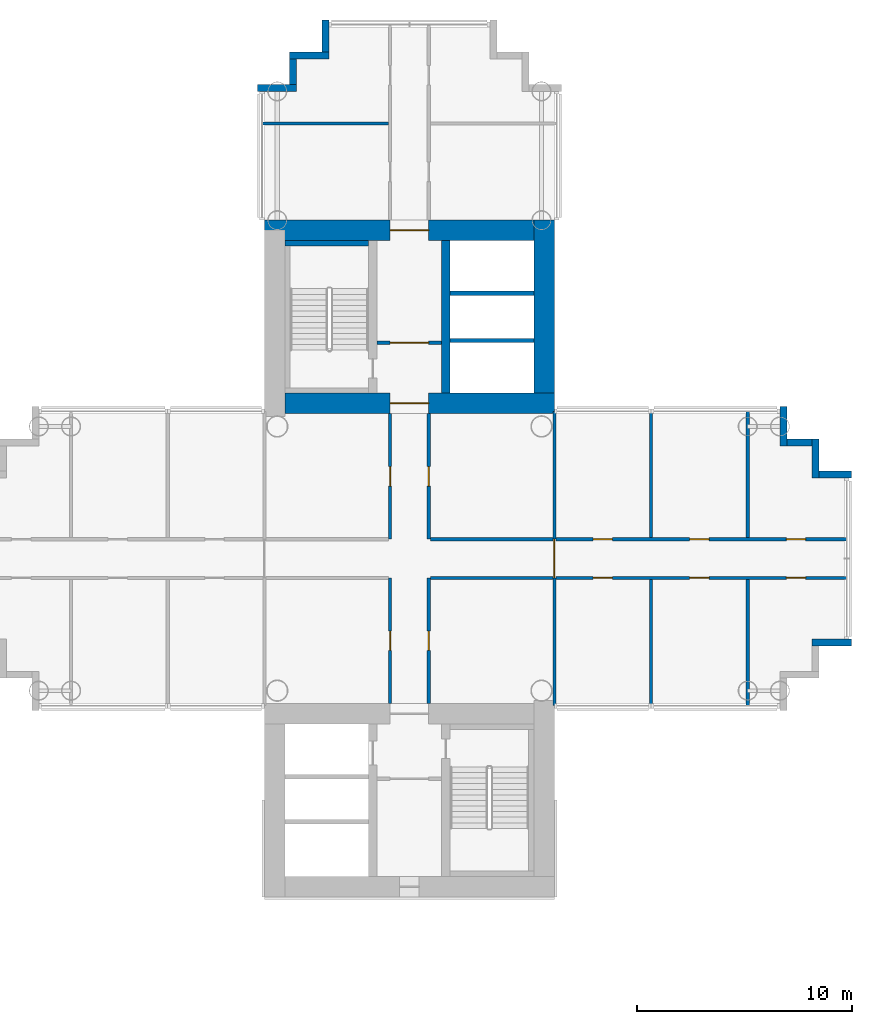
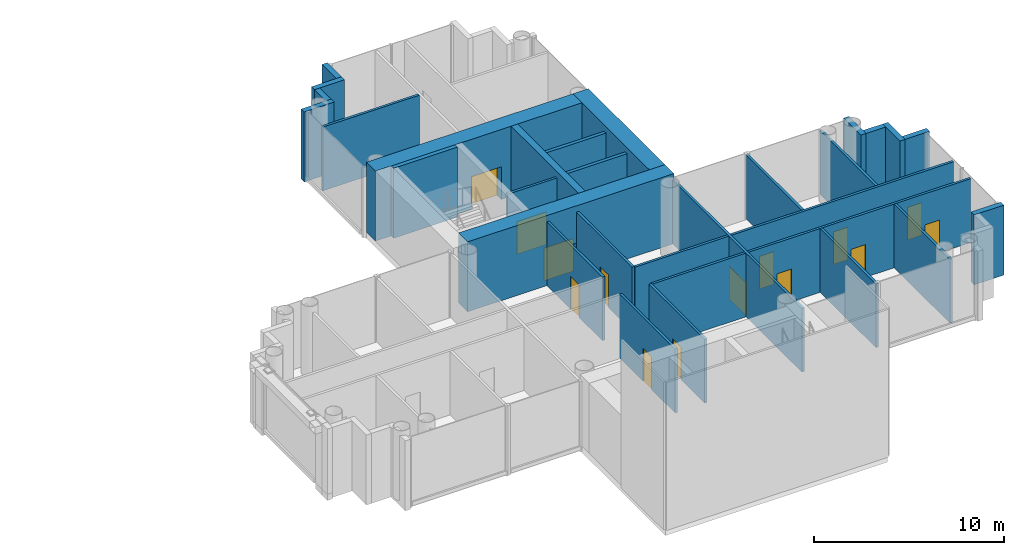
# One storey, part 14 of 20: 31 walls, 14 doors, 14 openings.
"""IFC4 building model written with IfcOpenShell, lengths in metres."""

from ifc_helpers import new_model, si_unit, direction, frame, frame_2d, origin, place, context, subcontext, project, spatial, rectangle, extrude, material, layer, layer_set, type_object, element, fill, save


model = new_model("IFC4")

# Units and contexts
model_context = context("Model", 3, precision=1e-05, world=origin(), true_north=direction((0.0, 1.0)))
body_context = subcontext(model_context, "Body", "Model", "MODEL_VIEW")
ifc_project = project(units=[si_unit("LENGTHUNIT", "METRE"), si_unit("AREAUNIT", "SQUARE_METRE"), si_unit("VOLUMEUNIT", "CUBIC_METRE"), si_unit("PLANEANGLEUNIT", "RADIAN"), si_unit("MASSUNIT", "GRAM", prefix="KILO")], contexts=[model_context])

# Site, building, storey
site_placement = place(None, origin())
site = spatial("IfcSite", under=ifc_project, at=site_placement, CompositionType="ELEMENT")
building_placement = place(site_placement, origin())
building = spatial("IfcBuilding", under=site, at=building_placement, Name="Ipe Terrace Towers", CompositionType="ELEMENT")
storey_placement = place(building_placement, frame((0.0, 0.0, 124.199951171875)))
storey = spatial("IfcBuildingStorey", under=building, at=storey_placement, Name="L34", CompositionType="ELEMENT", Elevation=124.199951171875)

# Walls
ifc_material_1 = material(Name="Concrete C40/50 with buff precast cladding", Category="concrete")
ifc_layer_1 = layer(ifc_material_1, 0.320068359375)
ifc_layer_set_1 = layer_set([ifc_layer_1], Name="BUFF CLADDING WALL 320")
wall_type_1 = type_object("IfcWallType", Name="BUFF CLADDING WALL 320", PredefinedType="STANDARD", material=ifc_layer_set_1)
wall_1_placement = place(storey_placement, frame((54.75, -3.909912109375, -0.300048828125), z_axis=(0.0, 0.0, 1.0), x_axis=(1.0, 0.0, 0.0)))
element("IfcWall", 1, at=wall_1_placement, inside=storey, type_object=wall_type_1, Name="T2-W-L34-07a wall", PredefinedType="STANDARD", context=body_context, shape_type="SweptSolid", body=[
    extrude(rectangle(XDim=1.820068359375, YDim=0.320068359375, at=frame_2d((0.91015625, 0.0))), origin(), (0.0, 0.0, 1.0), 4.5),
])
wall_2_placement = place(storey_placement, frame((56.570068359375, 3.909912109375, -0.300048828125), z_axis=(0.0, 0.0, 1.0), x_axis=(-1.0, 0.0, 0.0)))
element("IfcWall", 2, at=wall_2_placement, inside=storey, type_object=wall_type_1, Name="T2-W-L34-09a wall", PredefinedType="STANDARD", context=body_context, shape_type="SweptSolid", body=[
    extrude(rectangle(XDim=1.5, YDim=0.320068359375, at=frame_2d((0.75, 0.0))), origin(), (0.0, 0.0, 1.0), 4.5),
])
wall_3_placement = place(storey_placement, frame((54.909912109375, 3.75, -0.300048828125), z_axis=(0.0, 0.0, 1.0), x_axis=(0.0, 1.0, 0.0)))
element("IfcWall", 3, at=wall_3_placement, inside=storey, type_object=wall_type_1, Name="T2-W-L34-10a wall", PredefinedType="STANDARD", context=body_context, shape_type="SweptSolid", body=[
    extrude(rectangle(XDim=1.820068359375, YDim=0.320068359375, at=frame_2d((0.91015625, 0.0))), origin(), (0.0, 0.0, 1.0), 4.5),
])
wall_4_placement = place(storey_placement, frame((54.75, 5.409912109375, -0.300048828125), z_axis=(0.0, 0.0, 1.0), x_axis=(-1.0, 0.0, 0.0)))
element("IfcWall", 4, at=wall_4_placement, inside=storey, type_object=wall_type_1, Name="T2-W-L34-11a wall", PredefinedType="STANDARD", context=body_context, shape_type="SweptSolid", body=[
    extrude(rectangle(XDim=1.179931640625, YDim=0.320068359375, at=frame_2d((0.58984375, 0.0))), origin(), (0.0, 0.0, 1.0), 4.5),
])
wall_5_placement = place(storey_placement, frame((53.409912109375, 5.25, -0.300048828125), z_axis=(0.0, 0.0, 1.0), x_axis=(0.0, 1.0, 0.0)))
element("IfcWall", 5, at=wall_5_placement, inside=storey, type_object=wall_type_1, Name="T2-W-L34-12a wall", PredefinedType="STANDARD", context=body_context, shape_type="SweptSolid", body=[
    extrude(rectangle(XDim=1.820068359375, YDim=0.320068359375, at=frame_2d((0.91015625, 0.0))), origin(), (0.0, 0.0, 1.0), 4.5),
])
wall_6_placement = place(storey_placement, frame((32.090087890625, 25.070068359375, -0.300048828125), z_axis=(0.0, 0.0, 1.0), x_axis=(0.0, -1.0, 0.0)))
element("IfcWall", 6, at=wall_6_placement, inside=storey, type_object=wall_type_1, Name="T2-W-L34-22a wall", PredefinedType="STANDARD", context=body_context, shape_type="SweptSolid", body=[
    extrude(rectangle(XDim=1.5, YDim=0.320068359375, at=frame_2d((0.75, 0.0))), origin(), (0.0, 0.0, 1.0), 4.5),
])
wall_7_placement = place(storey_placement, frame((32.25, 23.409912109375, -0.300048828125), z_axis=(0.0, 0.0, 1.0), x_axis=(-1.0, 0.0, 0.0)))
element("IfcWall", 7, at=wall_7_placement, inside=storey, type_object=wall_type_1, Name="T2-W-L34-23a wall", PredefinedType="STANDARD", context=body_context, shape_type="SweptSolid", body=[
    extrude(rectangle(XDim=1.820068359375, YDim=0.320068359375, at=frame_2d((0.91015625, 0.0))), origin(), (0.0, 0.0, 1.0), 4.5),
])
wall_8_placement = place(storey_placement, frame((30.590087890625, 23.25, -0.300048828125), z_axis=(0.0, 0.0, 1.0), x_axis=(0.0, -1.0, 0.0)))
element("IfcWall", 8, at=wall_8_placement, inside=storey, type_object=wall_type_1, Name="T2-W-L34-24a wall", PredefinedType="STANDARD", context=body_context, shape_type="SweptSolid", body=[
    extrude(rectangle(XDim=1.179931640625, YDim=0.320068359375, at=frame_2d((0.58984375, 0.0))), origin(), (0.0, 0.0, 1.0), 4.5),
])
wall_9_placement = place(storey_placement, frame((30.75, 21.909912109375, -0.300048828125), z_axis=(0.0, 0.0, 1.0), x_axis=(-1.0, 0.0, 0.0)))
element("IfcWall", 9, at=wall_9_placement, inside=storey, type_object=wall_type_1, Name="T2-W-L34-25a wall", PredefinedType="STANDARD", context=body_context, shape_type="SweptSolid", body=[
    extrude(rectangle(XDim=1.820068359375, YDim=0.320068359375, at=frame_2d((0.91015625, 0.0))), origin(), (0.0, 0.0, 1.0), 4.5),
])

# Wall, opening, door
ifc_material_2 = material(Name="Gypsum board partition", Category="plasterboard")
ifc_layer_2 = layer(ifc_material_2, 0.14990234375)
ifc_layer_set_2 = layer_set([ifc_layer_2], Name="Gypsum board partition 150 mm")
wall_type_2 = type_object("IfcWallType", Name="Gypsum board partition 150 mm", PredefinedType="PARTITIONING", material=ifc_layer_set_2)
wall_10_placement = place(storey_placement, frame((37.5, 10.050048828125, 0.0), z_axis=(0.0, 0.0, 1.0), x_axis=(-1.0, 0.0, 0.0)))
wall_10 = element("IfcWall", 10, at=wall_10_placement, inside=storey, type_object=wall_type_2, Name="Gypsum board partition T2 L34 t2c1-lobby-wall", PredefinedType="PARTITIONING", context=body_context, shape_type="SweptSolid", body=[
    extrude(rectangle(XDim=3.0, YDim=0.14990234375, at=frame_2d((1.5, 0.0))), origin(), (0.0, 0.0, 1.0), 4.10009765625),
])
opening_1_placement = place(wall_10_placement, frame((0.60009765625, 0.0, 0.0)))
opening_1 = element("IfcOpeningElement", 11, at=opening_1_placement, cuts=wall_10, Name="Opening T2C1-VD", PredefinedType="OPENING", context=body_context, shape_type="SweptSolid", body=[
    extrude(rectangle(XDim=1.800048828125, YDim=2.10009765625, at=frame_2d((0.89990234375, 1.050048828125))), frame((0.0, 0.0849609375, 0.0), z_axis=(0.0, -1.0, 0.0), x_axis=(1.0, 0.0, 0.0)), (0.0, 0.0, 1.0), 0.169921875),
])
ifc_material_3 = material(Name="Fire-rated timber door leaf", Category="wood")
door_type_1 = type_object("IfcDoorType", Name="Lobby door 1800 x 2100 FD60", OperationType="NOTDEFINED", PredefinedType="DOOR", material=ifc_material_3)
door_1_placement = place(opening_1_placement, origin())
door_1 = element("IfcDoor", 12, at=door_1_placement, inside=storey, type_object=door_type_1, Name="Lobby door T2C1-VD", OperationType="SINGLE_SWING_LEFT", OverallHeight=2.10009765625, OverallWidth=1.800048828125, PredefinedType="DOOR", context=body_context, shape_type="SweptSolid", body=[
    extrude(rectangle(XDim=1.800048828125, YDim=2.10009765625, at=frame_2d((0.89990234375, 1.050048828125))), frame((0.0, 0.02490234375, 0.0), z_axis=(0.0, -1.0, 0.0), x_axis=(1.0, 0.0, 0.0)), (0.0, 0.0, 1.0), 0.050048828125),
])
fill(opening_1, door_1)

wall_11_placement = place(storey_placement, frame((35.10009765625, 0.89990234375, 0.0), z_axis=(0.0, 0.0, 1.0), x_axis=(0.0, 1.0, 0.0)))
wall_11 = element("IfcWall", 13, at=wall_11_placement, inside=storey, type_object=wall_type_2, Name="Gypsum board partition T2 L34 sp-hub-qen-x", PredefinedType="PARTITIONING", context=body_context, shape_type="SweptSolid", body=[
    extrude(rectangle(XDim=5.85009765625, YDim=0.14990234375, at=frame_2d((2.925048828125, 0.0))), origin(), (0.0, 0.0, 1.0), 4.10009765625),
])
opening_2_placement = place(wall_11_placement, frame((2.47509765625, 0.0, 0.0)))
opening_2 = element("IfcOpeningElement", 14, at=opening_2_placement, cuts=wall_11, Name="Opening T2-SP-HEN-FD60", PredefinedType="OPENING", context=body_context, shape_type="SweptSolid", body=[
    extrude(rectangle(XDim=0.89990234375, YDim=2.10009765625, at=frame_2d((0.449951171875, 1.050048828125))), frame((0.0, 0.0849609375, 0.0), z_axis=(0.0, -1.0, 0.0), x_axis=(1.0, 0.0, 0.0)), (0.0, 0.0, 1.0), 0.169921875),
])
ifc_material_4 = material(Name="Fire-rated timber door leaf", Category="wood")
door_type_2 = type_object("IfcDoorType", Name="Service door 900 x 2100 FD60", OperationType="NOTDEFINED", PredefinedType="DOOR", material=ifc_material_4)
door_2_placement = place(opening_2_placement, origin())
door_2 = element("IfcDoor", 15, at=door_2_placement, inside=storey, type_object=door_type_2, Name="Service door T2-SP-HEN-FD60", OperationType="SINGLE_SWING_LEFT", OverallHeight=2.10009765625, OverallWidth=0.89990234375, PredefinedType="DOOR", context=body_context, shape_type="SweptSolid", body=[
    extrude(rectangle(XDim=0.89990234375, YDim=2.10009765625, at=frame_2d((0.449951171875, 1.050048828125))), frame((0.0, 0.02490234375, 0.0), z_axis=(0.0, -1.0, 0.0), x_axis=(1.0, 0.0, 0.0)), (0.0, 0.0, 1.0), 0.050048828125),
])
fill(opening_2, door_2)

wall_12_placement = place(storey_placement, frame((36.89990234375, 0.89990234375, 0.0), z_axis=(0.0, 0.0, 1.0), x_axis=(0.0, 1.0, 0.0)))
wall_12 = element("IfcWall", 16, at=wall_12_placement, inside=storey, type_object=wall_type_2, Name="Gypsum board partition T2 L34 sp-hub-qes-x", PredefinedType="PARTITIONING", context=body_context, shape_type="SweptSolid", body=[
    extrude(rectangle(XDim=5.85009765625, YDim=0.14990234375, at=frame_2d((2.925048828125, 0.0))), origin(), (0.0, 0.0, 1.0), 4.10009765625),
])
opening_3_placement = place(wall_12_placement, frame((2.47509765625, 0.0, 0.0)))
opening_3 = element("IfcOpeningElement", 17, at=opening_3_placement, cuts=wall_12, Name="Opening T2-SP-HES-FD60", PredefinedType="OPENING", context=body_context, shape_type="SweptSolid", body=[
    extrude(rectangle(XDim=0.89990234375, YDim=2.10009765625, at=frame_2d((0.449951171875, 1.050048828125))), frame((0.0, 0.0849609375, 0.0), z_axis=(0.0, -1.0, 0.0), x_axis=(1.0, 0.0, 0.0)), (0.0, 0.0, 1.0), 0.169921875),
])
door_3_placement = place(opening_3_placement, origin())
door_3 = element("IfcDoor", 18, at=door_3_placement, inside=storey, type_object=door_type_2, Name="Service door T2-SP-HES-FD60", OperationType="SINGLE_SWING_RIGHT", OverallHeight=2.10009765625, OverallWidth=0.89990234375, PredefinedType="DOOR", context=body_context, shape_type="SweptSolid", body=[
    extrude(rectangle(XDim=0.89990234375, YDim=2.10009765625, at=frame_2d((0.449951171875, 1.050048828125))), frame((0.0, 0.02490234375, 0.0), z_axis=(0.0, -1.0, 0.0), x_axis=(1.0, 0.0, 0.0)), (0.0, 0.0, 1.0), 0.050048828125),
])
fill(opening_3, door_3)

# Wall
wall_13_placement = place(storey_placement, frame((42.675048828125, 0.89990234375, 0.0), z_axis=(0.0, 0.0, 1.0), x_axis=(-1.0, 0.0, 0.0)))
element("IfcWall", 19, at=wall_13_placement, inside=storey, type_object=wall_type_2, Name="Gypsum board partition T2 L34 sp-hub-qes-y", PredefinedType="PARTITIONING", context=body_context, shape_type="SweptSolid", body=[
    extrude(rectangle(XDim=5.699951171875, YDim=0.14990234375, at=frame_2d((2.85009765625, 0.0))), origin(), (0.0, 0.0, 1.0), 4.10009765625),
])

# Wall, opening, door
wall_14_placement = place(storey_placement, frame((35.10009765625, -6.75, 0.0), z_axis=(0.0, 0.0, 1.0), x_axis=(0.0, 1.0, 0.0)))
wall_14 = element("IfcWall", 20, at=wall_14_placement, inside=storey, type_object=wall_type_2, Name="Gypsum board partition T2 L34 sp-hub-qwn-x", PredefinedType="PARTITIONING", context=body_context, shape_type="SweptSolid", body=[
    extrude(rectangle(XDim=5.85009765625, YDim=0.14990234375, at=frame_2d((2.925048828125, 0.0))), origin(), (0.0, 0.0, 1.0), 4.10009765625),
])
opening_4_placement = place(wall_14_placement, frame((2.47509765625, 0.0, 0.0)))
opening_4 = element("IfcOpeningElement", 21, at=opening_4_placement, cuts=wall_14, Name="Opening T2-SP-HWN-FD60", PredefinedType="OPENING", context=body_context, shape_type="SweptSolid", body=[
    extrude(rectangle(XDim=0.89990234375, YDim=2.10009765625, at=frame_2d((0.449951171875, 1.050048828125))), frame((0.0, 0.0849609375, 0.0), z_axis=(0.0, -1.0, 0.0), x_axis=(1.0, 0.0, 0.0)), (0.0, 0.0, 1.0), 0.169921875),
])
door_4_placement = place(opening_4_placement, origin())
door_4 = element("IfcDoor", 22, at=door_4_placement, inside=storey, type_object=door_type_2, Name="Service door T2-SP-HWN-FD60", OperationType="SINGLE_SWING_LEFT", OverallHeight=2.10009765625, OverallWidth=0.89990234375, PredefinedType="DOOR", context=body_context, shape_type="SweptSolid", body=[
    extrude(rectangle(XDim=0.89990234375, YDim=2.10009765625, at=frame_2d((0.449951171875, 1.050048828125))), frame((0.0, 0.02490234375, 0.0), z_axis=(0.0, -1.0, 0.0), x_axis=(1.0, 0.0, 0.0)), (0.0, 0.0, 1.0), 0.050048828125),
])
fill(opening_4, door_4)

wall_15_placement = place(storey_placement, frame((36.89990234375, -6.75, 0.0), z_axis=(0.0, 0.0, 1.0), x_axis=(0.0, 1.0, 0.0)))
wall_15 = element("IfcWall", 23, at=wall_15_placement, inside=storey, type_object=wall_type_2, Name="Gypsum board partition T2 L34 sp-hub-qws-x", PredefinedType="PARTITIONING", context=body_context, shape_type="SweptSolid", body=[
    extrude(rectangle(XDim=5.85009765625, YDim=0.14990234375, at=frame_2d((2.925048828125, 0.0))), origin(), (0.0, 0.0, 1.0), 4.10009765625),
])
opening_5_placement = place(wall_15_placement, frame((2.47509765625, 0.0, 0.0)))
opening_5 = element("IfcOpeningElement", 24, at=opening_5_placement, cuts=wall_15, Name="Opening T2-SP-HWS-FD60", PredefinedType="OPENING", context=body_context, shape_type="SweptSolid", body=[
    extrude(rectangle(XDim=0.89990234375, YDim=2.10009765625, at=frame_2d((0.449951171875, 1.050048828125))), frame((0.0, 0.0849609375, 0.0), z_axis=(0.0, -1.0, 0.0), x_axis=(1.0, 0.0, 0.0)), (0.0, 0.0, 1.0), 0.169921875),
])
door_5_placement = place(opening_5_placement, origin())
door_5 = element("IfcDoor", 25, at=door_5_placement, inside=storey, type_object=door_type_2, Name="Service door T2-SP-HWS-FD60", OperationType="SINGLE_SWING_RIGHT", OverallHeight=2.10009765625, OverallWidth=0.89990234375, PredefinedType="DOOR", context=body_context, shape_type="SweptSolid", body=[
    extrude(rectangle(XDim=0.89990234375, YDim=2.10009765625, at=frame_2d((0.449951171875, 1.050048828125))), frame((0.0, 0.02490234375, 0.0), z_axis=(0.0, -1.0, 0.0), x_axis=(1.0, 0.0, 0.0)), (0.0, 0.0, 1.0), 0.050048828125),
])
fill(opening_5, door_5)

# Walls
wall_16_placement = place(storey_placement, frame((42.675048828125, -0.89990234375, 0.0), z_axis=(0.0, 0.0, 1.0), x_axis=(-1.0, 0.0, 0.0)))
element("IfcWall", 26, at=wall_16_placement, inside=storey, type_object=wall_type_2, Name="Gypsum board partition T2 L34 sp-hub-qws-y", PredefinedType="PARTITIONING", context=body_context, shape_type="SweptSolid", body=[
    extrude(rectangle(XDim=5.699951171875, YDim=0.14990234375, at=frame_2d((2.85009765625, 0.0))), origin(), (0.0, 0.0, 1.0), 4.10009765625),
])
wall_17_placement = place(storey_placement, frame((35.02490234375, 20.25, 0.0), z_axis=(0.0, 0.0, 1.0), x_axis=(-1.0, 0.0, 0.0)))
element("IfcWall", 27, at=wall_17_placement, inside=storey, type_object=wall_type_2, Name="Gypsum board partition T2 L34 sp-Lp-dp1", PredefinedType="PARTITIONING", context=body_context, shape_type="SweptSolid", body=[
    extrude(rectangle(XDim=5.875, YDim=0.14990234375, at=frame_2d((2.9375, 0.0))), origin(), (0.0, 0.0, 1.0), 4.10009765625),
])

# Wall, opening, door
wall_18_placement = place(storey_placement, frame((42.75, -6.85009765625, 0.0), z_axis=(0.0, 0.0, 1.0), x_axis=(0.0, 1.0, 0.0)))
wall_18 = element("IfcWall", 28, at=wall_18_placement, inside=storey, type_object=wall_type_2, Name="Gypsum board partition T2 L34 sp-Sm-mouth", PredefinedType="PARTITIONING", context=body_context, shape_type="SweptSolid", body=[
    extrude(rectangle(XDim=13.7001953125, YDim=0.14990234375, at=frame_2d((6.85009765625, 0.0))), origin(), (0.0, 0.0, 1.0), 4.10009765625),
])
opening_6_placement = place(wall_18_placement, frame((5.949951171875, 0.0, 0.0)))
opening_6 = element("IfcOpeningElement", 29, at=opening_6_placement, cuts=wall_18, Name="Opening T2-SP-MSm", PredefinedType="OPENING", context=body_context, shape_type="SweptSolid", body=[
    extrude(rectangle(XDim=1.800048828125, YDim=2.10009765625, at=frame_2d((0.89990234375, 1.050048828125))), frame((0.0, 0.0849609375, 0.0), z_axis=(0.0, -1.0, 0.0), x_axis=(1.0, 0.0, 0.0)), (0.0, 0.0, 1.0), 0.169921875),
])
ifc_material_5 = material(Name="Fire-rated timber door leaf", Category="wood")
door_type_3 = type_object("IfcDoorType", Name="Lobby door 1800 x 2100 FD30S", OperationType="NOTDEFINED", PredefinedType="DOOR", material=ifc_material_5)
door_6_placement = place(opening_6_placement, origin())
door_6 = element("IfcDoor", 30, at=door_6_placement, inside=storey, type_object=door_type_3, Name="Lobby door T2-SP-MSm", OperationType="SINGLE_SWING_RIGHT", OverallHeight=2.10009765625, OverallWidth=1.800048828125, PredefinedType="DOOR", context=body_context, shape_type="SweptSolid", body=[
    extrude(rectangle(XDim=1.800048828125, YDim=2.10009765625, at=frame_2d((0.89990234375, 1.050048828125))), frame((0.0, 0.02490234375, 0.0), z_axis=(0.0, -1.0, 0.0), x_axis=(1.0, 0.0, 0.0)), (0.0, 0.0, 1.0), 0.050048828125),
])
fill(opening_6, door_6)

# Wall, openings, doors
wall_19_placement = place(storey_placement, frame((56.35009765625, 0.89990234375, 0.0), z_axis=(0.0, 0.0, 1.0), x_axis=(-1.0, 0.0, 0.0)))
wall_19 = element("IfcWall", 31, at=wall_19_placement, inside=storey, type_object=wall_type_2, Name="Gypsum board partition T2 L34 sp-Sm-wp", PredefinedType="PARTITIONING", context=body_context, shape_type="SweptSolid", body=[
    extrude(rectangle(XDim=13.525146484375, YDim=0.14990234375, at=frame_2d((6.7626953125, 0.0))), origin(), (0.0, 0.0, 1.0), 4.10009765625),
])
opening_7_placement = place(wall_19_placement, frame((1.89990234375, 0.0, 0.0)))
opening_7 = element("IfcOpeningElement", 32, at=opening_7_placement, cuts=wall_19, Name="Opening T2-SP-PSm1-FD60", PredefinedType="OPENING", context=body_context, shape_type="SweptSolid", body=[
    extrude(rectangle(XDim=0.89990234375, YDim=2.10009765625, at=frame_2d((0.449951171875, 1.050048828125))), frame((0.0, 0.0849609375, 0.0), z_axis=(0.0, -1.0, 0.0), x_axis=(1.0, 0.0, 0.0)), (0.0, 0.0, 1.0), 0.169921875),
])
opening_8_placement = place(wall_19_placement, frame((6.39990234375, 0.0, 0.0)))
opening_8 = element("IfcOpeningElement", 33, at=opening_8_placement, cuts=wall_19, Name="Opening T2-SP-PSm2-FD60", PredefinedType="OPENING", context=body_context, shape_type="SweptSolid", body=[
    extrude(rectangle(XDim=0.89990234375, YDim=2.10009765625, at=frame_2d((0.449951171875, 1.050048828125))), frame((0.0, 0.0849609375, 0.0), z_axis=(0.0, -1.0, 0.0), x_axis=(1.0, 0.0, 0.0)), (0.0, 0.0, 1.0), 0.169921875),
])
opening_9_placement = place(wall_19_placement, frame((10.89990234375, 0.0, 0.0)))
opening_9 = element("IfcOpeningElement", 34, at=opening_9_placement, cuts=wall_19, Name="Opening T2-SP-PSm3-FD60", PredefinedType="OPENING", context=body_context, shape_type="SweptSolid", body=[
    extrude(rectangle(XDim=0.89990234375, YDim=2.10009765625, at=frame_2d((0.449951171875, 1.050048828125))), frame((0.0, 0.0849609375, 0.0), z_axis=(0.0, -1.0, 0.0), x_axis=(1.0, 0.0, 0.0)), (0.0, 0.0, 1.0), 0.169921875),
])
door_7_placement = place(opening_7_placement, origin())
door_7 = element("IfcDoor", 35, at=door_7_placement, inside=storey, type_object=door_type_2, Name="Service door T2-SP-PSm1-FD60", OperationType="SINGLE_SWING_LEFT", OverallHeight=2.10009765625, OverallWidth=0.89990234375, PredefinedType="DOOR", context=body_context, shape_type="SweptSolid", body=[
    extrude(rectangle(XDim=0.89990234375, YDim=2.10009765625, at=frame_2d((0.449951171875, 1.050048828125))), frame((0.0, 0.02490234375, 0.0), z_axis=(0.0, -1.0, 0.0), x_axis=(1.0, 0.0, 0.0)), (0.0, 0.0, 1.0), 0.050048828125),
])
fill(opening_7, door_7)
door_8_placement = place(opening_8_placement, origin())
door_8 = element("IfcDoor", 36, at=door_8_placement, inside=storey, type_object=door_type_2, Name="Service door T2-SP-PSm2-FD60", OperationType="SINGLE_SWING_RIGHT", OverallHeight=2.10009765625, OverallWidth=0.89990234375, PredefinedType="DOOR", context=body_context, shape_type="SweptSolid", body=[
    extrude(rectangle(XDim=0.89990234375, YDim=2.10009765625, at=frame_2d((0.449951171875, 1.050048828125))), frame((0.0, 0.02490234375, 0.0), z_axis=(0.0, -1.0, 0.0), x_axis=(1.0, 0.0, 0.0)), (0.0, 0.0, 1.0), 0.050048828125),
])
fill(opening_8, door_8)
door_9_placement = place(opening_9_placement, origin())
door_9 = element("IfcDoor", 37, at=door_9_placement, inside=storey, type_object=door_type_2, Name="Service door T2-SP-PSm3-FD60", OperationType="SINGLE_SWING_LEFT", OverallHeight=2.10009765625, OverallWidth=0.89990234375, PredefinedType="DOOR", context=body_context, shape_type="SweptSolid", body=[
    extrude(rectangle(XDim=0.89990234375, YDim=2.10009765625, at=frame_2d((0.449951171875, 1.050048828125))), frame((0.0, 0.02490234375, 0.0), z_axis=(0.0, -1.0, 0.0), x_axis=(1.0, 0.0, 0.0)), (0.0, 0.0, 1.0), 0.050048828125),
])
fill(opening_9, door_9)

# Walls
for number, where, z_axis, x_axis, name in (
    (38, (51.75, 0.97509765625, 0.0), (0.0, 0.0, 1.0), (0.0, 1.0, 0.0), "Gypsum board partition T2 L34 sp-Sm-dp1"),
    (39, (47.25, 0.97509765625, 0.0), (0.0, 0.0, 1.0), (0.0, 1.0, 0.0), "Gypsum board partition T2 L34 sp-Sm-dp2"),
):
    element("IfcWall", number, at=place(storey_placement, frame(where, z_axis=z_axis, x_axis=x_axis)), inside=storey, type_object=wall_type_2, Name=name, PredefinedType="PARTITIONING", context=body_context, shape_type="SweptSolid", body=[
        extrude(rectangle(XDim=5.875, YDim=0.14990234375, at=frame_2d((2.9375, 0.0))), origin(), (0.0, 0.0, 1.0), 4.10009765625),
    ])

# Wall, openings, doors
wall_20_placement = place(storey_placement, frame((56.35009765625, -0.89990234375, 0.0), z_axis=(0.0, 0.0, 1.0), x_axis=(-1.0, 0.0, 0.0)))
wall_20 = element("IfcWall", 40, at=wall_20_placement, inside=storey, type_object=wall_type_2, Name="Gypsum board partition T2 L34 sp-Sm-wm", PredefinedType="PARTITIONING", context=body_context, shape_type="SweptSolid", body=[
    extrude(rectangle(XDim=13.525146484375, YDim=0.14990234375, at=frame_2d((6.7626953125, 0.0))), origin(), (0.0, 0.0, 1.0), 4.10009765625),
])
opening_10_placement = place(wall_20_placement, frame((1.89990234375, 0.0, 0.0)))
opening_10 = element("IfcOpeningElement", 41, at=opening_10_placement, cuts=wall_20, Name="Opening T2-SP-MSm1-FD60", PredefinedType="OPENING", context=body_context, shape_type="SweptSolid", body=[
    extrude(rectangle(XDim=0.89990234375, YDim=2.10009765625, at=frame_2d((0.449951171875, 1.050048828125))), frame((0.0, 0.0849609375, 0.0), z_axis=(0.0, -1.0, 0.0), x_axis=(1.0, 0.0, 0.0)), (0.0, 0.0, 1.0), 0.169921875),
])
opening_11_placement = place(wall_20_placement, frame((6.39990234375, 0.0, 0.0)))
opening_11 = element("IfcOpeningElement", 42, at=opening_11_placement, cuts=wall_20, Name="Opening T2-SP-MSm2-FD60", PredefinedType="OPENING", context=body_context, shape_type="SweptSolid", body=[
    extrude(rectangle(XDim=0.89990234375, YDim=2.10009765625, at=frame_2d((0.449951171875, 1.050048828125))), frame((0.0, 0.0849609375, 0.0), z_axis=(0.0, -1.0, 0.0), x_axis=(1.0, 0.0, 0.0)), (0.0, 0.0, 1.0), 0.169921875),
])
opening_12_placement = place(wall_20_placement, frame((10.89990234375, 0.0, 0.0)))
opening_12 = element("IfcOpeningElement", 43, at=opening_12_placement, cuts=wall_20, Name="Opening T2-SP-MSm3-FD60", PredefinedType="OPENING", context=body_context, shape_type="SweptSolid", body=[
    extrude(rectangle(XDim=0.89990234375, YDim=2.10009765625, at=frame_2d((0.449951171875, 1.050048828125))), frame((0.0, 0.0849609375, 0.0), z_axis=(0.0, -1.0, 0.0), x_axis=(1.0, 0.0, 0.0)), (0.0, 0.0, 1.0), 0.169921875),
])
door_10_placement = place(opening_10_placement, origin())
door_10 = element("IfcDoor", 44, at=door_10_placement, inside=storey, type_object=door_type_2, Name="Service door T2-SP-MSm1-FD60", OperationType="SINGLE_SWING_RIGHT", OverallHeight=2.10009765625, OverallWidth=0.89990234375, PredefinedType="DOOR", context=body_context, shape_type="SweptSolid", body=[
    extrude(rectangle(XDim=0.89990234375, YDim=2.10009765625, at=frame_2d((0.449951171875, 1.050048828125))), frame((0.0, 0.02490234375, 0.0), z_axis=(0.0, -1.0, 0.0), x_axis=(1.0, 0.0, 0.0)), (0.0, 0.0, 1.0), 0.050048828125),
])
fill(opening_10, door_10)
door_11_placement = place(opening_11_placement, origin())
door_11 = element("IfcDoor", 45, at=door_11_placement, inside=storey, type_object=door_type_2, Name="Service door T2-SP-MSm2-FD60", OperationType="SINGLE_SWING_LEFT", OverallHeight=2.10009765625, OverallWidth=0.89990234375, PredefinedType="DOOR", context=body_context, shape_type="SweptSolid", body=[
    extrude(rectangle(XDim=0.89990234375, YDim=2.10009765625, at=frame_2d((0.449951171875, 1.050048828125))), frame((0.0, 0.02490234375, 0.0), z_axis=(0.0, -1.0, 0.0), x_axis=(1.0, 0.0, 0.0)), (0.0, 0.0, 1.0), 0.050048828125),
])
fill(opening_11, door_11)
door_12_placement = place(opening_12_placement, origin())
door_12 = element("IfcDoor", 46, at=door_12_placement, inside=storey, type_object=door_type_2, Name="Service door T2-SP-MSm3-FD60", OperationType="SINGLE_SWING_RIGHT", OverallHeight=2.10009765625, OverallWidth=0.89990234375, PredefinedType="DOOR", context=body_context, shape_type="SweptSolid", body=[
    extrude(rectangle(XDim=0.89990234375, YDim=2.10009765625, at=frame_2d((0.449951171875, 1.050048828125))), frame((0.0, 0.02490234375, 0.0), z_axis=(0.0, -1.0, 0.0), x_axis=(1.0, 0.0, 0.0)), (0.0, 0.0, 1.0), 0.050048828125),
])
fill(opening_12, door_12)

# Walls
for number, where, z_axis, x_axis, name in (
    (47, (51.75, -0.97509765625, 0.0), (0.0, 0.0, 1.0), (0.0, -1.0, 0.0), "Gypsum board partition T2 L34 sp-Sm-dm1"),
    (48, (47.25, -0.97509765625, 0.0), (0.0, 0.0, 1.0), (0.0, -1.0, 0.0), "Gypsum board partition T2 L34 sp-Sm-dm2"),
):
    element("IfcWall", number, at=place(storey_placement, frame(where, z_axis=z_axis, x_axis=x_axis)), inside=storey, type_object=wall_type_2, Name=name, PredefinedType="PARTITIONING", context=body_context, shape_type="SweptSolid", body=[
        extrude(rectangle(XDim=5.875, YDim=0.14990234375, at=frame_2d((2.9375, 0.0))), origin(), (0.0, 0.0, 1.0), 4.10009765625),
    ])
ifc_material_6 = material(Name="Gypsum board party wall", Category="plasterboard")
ifc_layer_3 = layer(ifc_material_6, 0.199951171875)
ifc_layer_set_3 = layer_set([ifc_layer_3], Name="Gypsum board party wall 200 mm")
wall_type_3 = type_object("IfcWallType", Name="Gypsum board party wall 200 mm", PredefinedType="SOLIDWALL", material=ifc_layer_set_3)
for number, where, z_axis, x_axis, name in (
    (49, (41.800048828125, 10.14990234375, 0.0), (0.0, 0.0, 1.0), (-1.0, 0.0, 0.0), "Gypsum board party wall T2 L34 t2c1-shaft-div1"),
    (50, (41.800048828125, 12.35009765625, 0.0), (0.0, 0.0, 1.0), (-1.0, 0.0, 0.0), "Gypsum board party wall T2 L34 t2c1-shaft-div2"),
):
    element("IfcWall", number, at=place(storey_placement, frame(where, z_axis=z_axis, x_axis=x_axis)), inside=storey, type_object=wall_type_3, Name=name, PredefinedType="SOLIDWALL", context=body_context, shape_type="SweptSolid", body=[
        extrude(rectangle(XDim=3.900146484375, YDim=0.199951171875, at=frame_2d((1.9501953125, 0.0))), origin(), (0.0, 0.0, 1.0), 4.10009765625),
    ])
ifc_material_7 = material(Name="Concrete C50/60", Category="concrete")
ifc_layer_4 = layer(ifc_material_7, 0.25)
ifc_layer_set_4 = layer_set([ifc_layer_4], Name="RW250 CORE INFILL WALL 250 C50-60")
wall_type_4 = type_object("IfcWallType", Name="RW250 CORE INFILL WALL 250 C50-60", PredefinedType="SHEAR", material=ifc_layer_set_4)
wall_21_placement = place(storey_placement, frame((34.10009765625, 14.675048828125, 0.0), z_axis=(0.0, 0.0, 1.0), x_axis=(-1.0, 0.0, 0.0)))
element("IfcWall", 51, at=wall_21_placement, inside=storey, type_object=wall_type_4, Name="Core infill wall T2-C1-far", PredefinedType="SHEAR", context=body_context, shape_type="SweptSolid", body=[
    extrude(rectangle(XDim=3.900146484375, YDim=0.25, at=frame_2d((1.9501953125, 0.0))), origin(), (0.0, 0.0, 1.0), 4.5),
])
ifc_material_8 = material(Name="Concrete C50/60", Category="concrete")
ifc_layer_5 = layer(ifc_material_8, 0.39990234375)
ifc_layer_set_5 = layer_set([ifc_layer_5], Name="RW400 CORE SPINE WALL 400 C50-60")
wall_type_5 = type_object("IfcWallType", Name="RW400 CORE SPINE WALL 400 C50-60", PredefinedType="SHEAR", material=ifc_layer_set_5)
wall_22_placement = place(storey_placement, frame((37.699951171875, 7.699951171875, 0.0), z_axis=(0.0, 0.0, 1.0), x_axis=(0.0, 1.0, 0.0)))
element("IfcWall", 52, at=wall_22_placement, inside=storey, type_object=wall_type_5, Name="Core spine wall T2-C1-Z2-SW2", PredefinedType="SHEAR", context=body_context, shape_type="SweptSolid", body=[
    extrude(rectangle(XDim=7.10009765625, YDim=0.39990234375, at=frame_2d((3.550048828125, 0.0))), origin(), (0.0, 0.0, 1.0), 4.5),
])

# Wall, opening, door
ifc_material_9 = material(Name="Concrete C50/60", Category="concrete")
ifc_layer_6 = layer(ifc_material_9, 0.949951171875)
ifc_layer_set_6 = layer_set([ifc_layer_6], Name="RW950 CORE WALL 950 C50-60")
wall_type_6 = type_object("IfcWallType", Name="RW950 CORE WALL 950 C50-60", PredefinedType="SHEAR", material=ifc_layer_set_6)
wall_23_placement = place(storey_placement, frame((30.199951171875, 7.22509765625, 0.0), z_axis=(0.0, 0.0, 1.0), x_axis=(1.0, 0.0, 0.0)))
wall_23 = element("IfcWall", 53, at=wall_23_placement, inside=storey, type_object=wall_type_6, Name="Core wall T2-C1-Z2-W01", PredefinedType="SHEAR", context=body_context, shape_type="SweptSolid", body=[
    extrude(rectangle(XDim=12.550048828125, YDim=0.949951171875, at=frame_2d((6.27490234375, 0.0))), origin(), (0.0, 0.0, 1.0), 4.5),
])
opening_13_placement = place(wall_23_placement, frame((4.89990234375, 0.0, 0.0)))
opening_13 = element("IfcOpeningElement", 54, at=opening_13_placement, cuts=wall_23, Name="Opening T2C1-ND", PredefinedType="OPENING", context=body_context, shape_type="SweptSolid", body=[
    extrude(rectangle(XDim=1.800048828125, YDim=2.10009765625, at=frame_2d((0.89990234375, 1.050048828125))), frame((0.0, 0.48486328125, 0.0), z_axis=(0.0, -1.0, 0.0), x_axis=(1.0, 0.0, 0.0)), (0.0, 0.0, 1.0), 0.969970703125),
])
ifc_material_10 = material(Name="Fire-rated timber door leaf", Category="wood")
door_type_4 = type_object("IfcDoorType", Name="Fire door 1800 x 2100 FD30S", OperationType="NOTDEFINED", PredefinedType="DOOR", material=ifc_material_10)
door_13_placement = place(opening_13_placement, origin())
door_13 = element("IfcDoor", 55, at=door_13_placement, inside=storey, type_object=door_type_4, Name="Fire door T2C1-ND", OperationType="SINGLE_SWING_LEFT", OverallHeight=2.10009765625, OverallWidth=1.800048828125, PredefinedType="DOOR", context=body_context, shape_type="SweptSolid", body=[
    extrude(rectangle(XDim=1.800048828125, YDim=2.10009765625, at=frame_2d((0.89990234375, 1.050048828125))), frame((0.0, 0.02490234375, 0.0), z_axis=(0.0, -1.0, 0.0), x_axis=(1.0, 0.0, 0.0)), (0.0, 0.0, 1.0), 0.050048828125),
])
fill(opening_13, door_13)

# Wall
wall_24_placement = place(storey_placement, frame((42.27490234375, 7.699951171875, 0.0), z_axis=(0.0, 0.0, 1.0), x_axis=(0.0, 1.0, 0.0)))
element("IfcWall", 56, at=wall_24_placement, inside=storey, type_object=wall_type_6, Name="Core wall T2-C1-Z2-W02", PredefinedType="SHEAR", context=body_context, shape_type="SweptSolid", body=[
    extrude(rectangle(XDim=8.050048828125, YDim=0.949951171875, at=frame_2d((4.02490234375, 0.0))), origin(), (0.0, 0.0, 1.0), 4.5),
])

# Wall, opening, door
wall_25_placement = place(storey_placement, frame((41.800048828125, 15.27490234375, 0.0), z_axis=(0.0, 0.0, 1.0), x_axis=(-1.0, 0.0, 0.0)))
wall_25 = element("IfcWall", 57, at=wall_25_placement, inside=storey, type_object=wall_type_6, Name="Core wall T2-C1-Z2-W03", PredefinedType="SHEAR", context=body_context, shape_type="SweptSolid", body=[
    extrude(rectangle(XDim=12.550048828125, YDim=0.949951171875, at=frame_2d((6.27490234375, 0.0))), origin(), (0.0, 0.0, 1.0), 4.5),
])
opening_14_placement = place(wall_25_placement, frame((4.89990234375, 0.0, 0.0)))
opening_14 = element("IfcOpeningElement", 58, at=opening_14_placement, cuts=wall_25, Name="Opening T2C1-FD", PredefinedType="OPENING", context=body_context, shape_type="SweptSolid", body=[
    extrude(rectangle(XDim=1.800048828125, YDim=2.10009765625, at=frame_2d((0.89990234375, 1.050048828125))), frame((0.0, 0.48486328125, 0.0), z_axis=(0.0, -1.0, 0.0), x_axis=(1.0, 0.0, 0.0)), (0.0, 0.0, 1.0), 0.969970703125),
])
door_14_placement = place(opening_14_placement, origin())
door_14 = element("IfcDoor", 59, at=door_14_placement, inside=storey, type_object=door_type_4, Name="Fire door T2C1-FD", OperationType="SINGLE_SWING_LEFT", OverallHeight=2.10009765625, OverallWidth=1.800048828125, PredefinedType="DOOR", context=body_context, shape_type="SweptSolid", body=[
    extrude(rectangle(XDim=1.800048828125, YDim=2.10009765625, at=frame_2d((0.89990234375, 1.050048828125))), frame((0.0, 0.02490234375, 0.0), z_axis=(0.0, -1.0, 0.0), x_axis=(1.0, 0.0, 0.0)), (0.0, 0.0, 1.0), 0.050048828125),
])
fill(opening_14, door_14)

save(model, "model.ifc")
